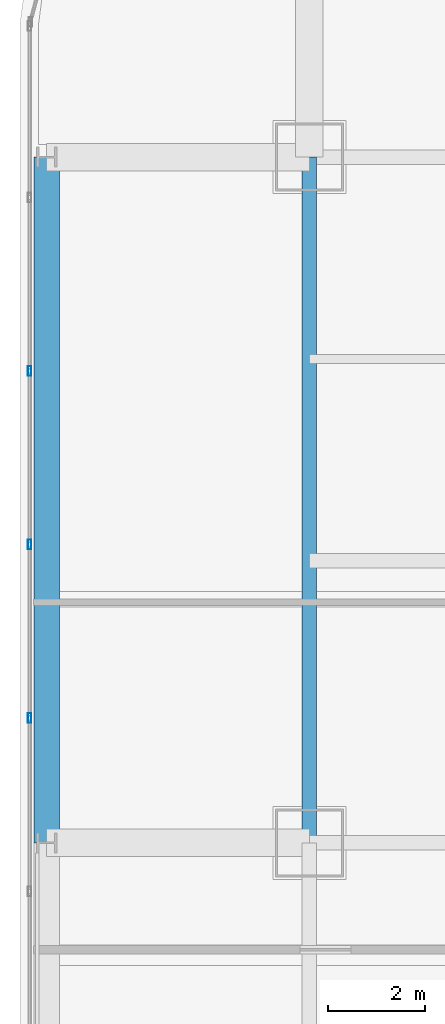
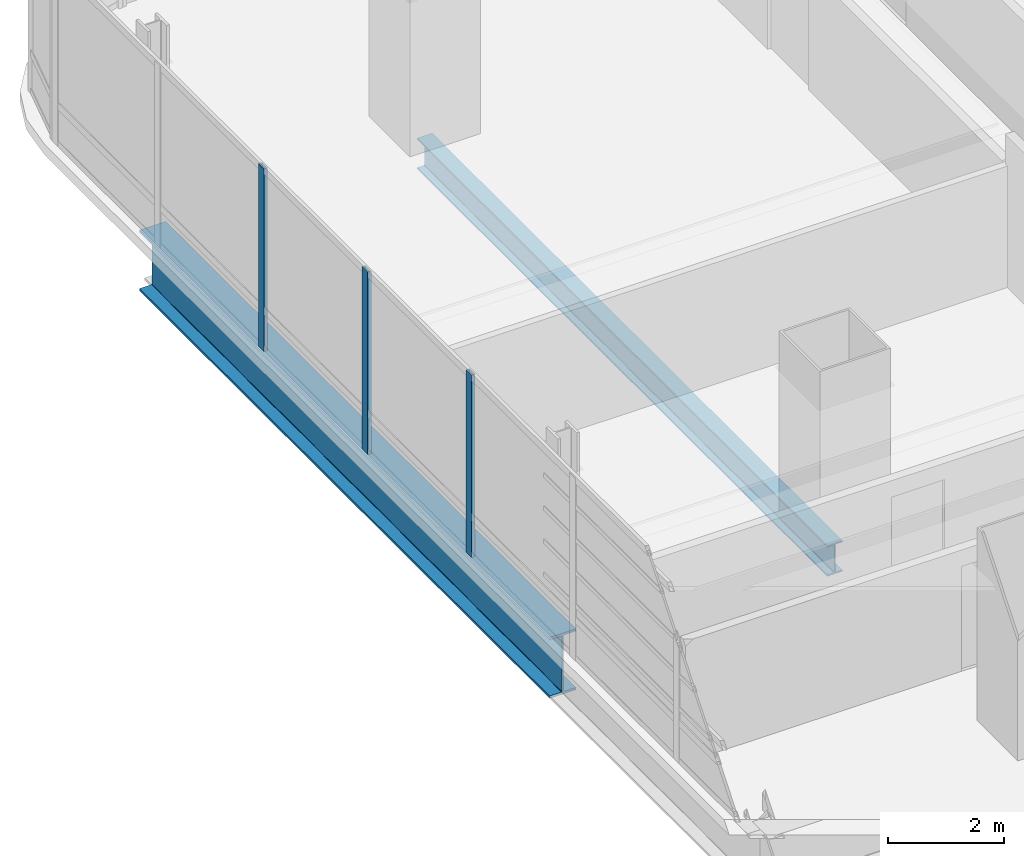
# One storey, part 12 of 38: 3 members, 2 beams, 1 element without a shape of its own.
"""IFC4 building model written with IfcOpenShell, lengths in metres."""

from ifc_helpers import new_model, si_unit, direction, frame, origin, origin_2d, place, context, subcontext, project, spatial, hollow_rectangle, i_section, extrude, material, material_profile, profile_set, type_object, element, aggregate, save


model = new_model("IFC4")

# Units and contexts
model_context = context("Model", 3, precision=1e-05, world=origin(), true_north=direction((0.0, 1.0)))
body_context = subcontext(model_context, "Body", "Model", "MODEL_VIEW")
ifc_project = project(units=[si_unit("LENGTHUNIT", "METRE"), si_unit("AREAUNIT", "SQUARE_METRE"), si_unit("VOLUMEUNIT", "CUBIC_METRE"), si_unit("PLANEANGLEUNIT", "RADIAN"), si_unit("MASSUNIT", "GRAM", prefix="KILO")], contexts=[model_context])

# Site, building, storey
site_placement = place(None, origin())
site = spatial("IfcSite", under=ifc_project, at=site_placement, CompositionType="ELEMENT")
building_placement = place(site_placement, origin())
building = spatial("IfcBuilding", under=site, at=building_placement, Name="Punatoya Terracotta Tower", CompositionType="ELEMENT")
storey_placement = place(building_placement, frame((0.0, 0.0, 147.89990234375)))
storey = spatial("IfcBuildingStorey", under=building, at=storey_placement, Name="L34", CompositionType="ELEMENT", Elevation=147.89990234375)

# Beams
ifc_material_1 = material(Name="Steel S355", Category="steel")
ifc_material_profile_1 = material_profile(ifc_material_1, i_section(OverallWidth=0.300048828125, OverallDepth=0.64990234375, WebThickness=0.01611328125, FlangeThickness=0.031005859375, FilletRadius=0.01806640625, at=origin_2d()))
ifc_profile_set_1 = profile_set([ifc_material_profile_1], Name="Steel S355")
beam_type_1 = type_object("IfcBeamType", Name="BM-PRI-650", PredefinedType="BEAM", material=ifc_profile_set_1)
beam_1_placement = place(storey_placement, frame((-19.10009765625, 3.39990234375, -0.544921875), z_axis=(0.0, 1.0, 0.0), x_axis=(-1.0, 0.0, 0.0)))
element("IfcBeam", 1, at=beam_1_placement, inside=storey, type_object=beam_type_1, Name="BM-L34-RG-W3", PredefinedType="BEAM", context=body_context, shape_type="SweptSolid", body=[
    extrude(i_section(OverallWidth=0.300048828125, OverallDepth=0.64990234375, WebThickness=0.01611328125, FlangeThickness=0.031005859375, FilletRadius=0.01806640625, at=origin_2d()), origin(), (0.0, 0.0, 1.0), 14.10009765625),
])
ifc_material_2 = material(Name="Steel S460", Category="steel")
ifc_material_profile_2 = material_profile(ifc_material_2, i_section(OverallWidth=0.52001953125, OverallDepth=1.280029296875, WebThickness=0.031982421875, FlangeThickness=0.050048828125, FilletRadius=0.01806640625, at=origin_2d()))
ifc_profile_set_2 = profile_set([ifc_material_profile_2], Name="Steel S460")
beam_type_2 = type_object("IfcBeamType", Name="BM-TG-NCK", PredefinedType="BEAM", material=ifc_profile_set_2)
beam_2_placement = place(storey_placement, frame((-24.5, 3.39990234375, -0.85986328125), z_axis=(0.0, 1.0, 0.0), x_axis=(-1.0, 0.0, 0.0)))
element("IfcBeam", 2, at=beam_2_placement, inside=storey, type_object=beam_type_2, Name="BM-L34-PER-W3", PredefinedType="BEAM", context=body_context, shape_type="SweptSolid", body=[
    extrude(i_section(OverallWidth=0.52001953125, OverallDepth=1.280029296875, WebThickness=0.031982421875, FlangeThickness=0.050048828125, FilletRadius=0.01806640625, at=origin_2d()), origin(), (0.0, 0.0, 1.0), 14.10009765625),
])

# Curtain wall, members
ifc_material_3 = material(Name="Aluminium 6063-T6 + Double Low-E Glass", Category="aluminium")
curtain_wall_type = type_object("IfcCurtainWallType", Name="CW-M2", PredefinedType="NOTDEFINED", material=ifc_material_3)
curtain_wall_placement = place(storey_placement, origin())
curtain_wall = element("IfcCurtainWall", 3, at=curtain_wall_placement, inside=storey, type_object=curtain_wall_type, Name="L34 Curtain Wall CW-L34-W13-1", PredefinedType="NOTDEFINED")
ifc_material_4 = material(Name="Aluminium 6063-T6", Category="aluminium")
ifc_material_profile_3 = material_profile(ifc_material_4, hollow_rectangle(XDim=0.072021484375, YDim=0.195068359375, WallThickness=0.00439453125, at=origin_2d()))
ifc_profile_set_3 = profile_set([ifc_material_profile_3], Name="Aluminium 6063-T6")
member_type = type_object("IfcMemberType", Name="CW-MUL-M2", PredefinedType="MULLION", material=ifc_profile_set_3)
member_1_placement = place(storey_placement, frame((-24.85009765625, 13.10205078125, 0.0), z_axis=(0.0, 0.0, 1.0), x_axis=(1.0, 0.0, 0.0)))
member_1 = element("IfcMember", 4, at=member_1_placement, type_object=member_type, Name="CW-L34-W13-1 Mullion 02", PredefinedType="MULLION", context=body_context, shape_type="SweptSolid", body=[
    extrude(hollow_rectangle(XDim=0.072021484375, YDim=0.195068359375, WallThickness=0.00439453125, at=origin_2d()), origin(), (0.0, 0.0, 1.0), 3.830078125),
])
member_2_placement = place(storey_placement, frame((-24.85009765625, 9.534912109375, 0.0), z_axis=(0.0, 0.0, 1.0), x_axis=(1.0, 0.0, 0.0)))
member_2 = element("IfcMember", 5, at=member_2_placement, type_object=member_type, Name="CW-L34-W13-1 Mullion 03", PredefinedType="MULLION", context=body_context, shape_type="SweptSolid", body=[
    extrude(hollow_rectangle(XDim=0.072021484375, YDim=0.195068359375, WallThickness=0.00439453125, at=origin_2d()), origin(), (0.0, 0.0, 1.0), 3.830078125),
])
member_3_placement = place(storey_placement, frame((-24.85009765625, 5.96728515625, 0.0), z_axis=(0.0, 0.0, 1.0), x_axis=(1.0, 0.0, 0.0)))
member_3 = element("IfcMember", 6, at=member_3_placement, type_object=member_type, Name="CW-L34-W13-1 Mullion 04", PredefinedType="MULLION", context=body_context, shape_type="SweptSolid", body=[
    extrude(hollow_rectangle(XDim=0.072021484375, YDim=0.195068359375, WallThickness=0.00439453125, at=origin_2d()), origin(), (0.0, 0.0, 1.0), 3.830078125),
])
aggregate(curtain_wall, [member_1, member_2, member_3])

save(model, "model.ifc")
